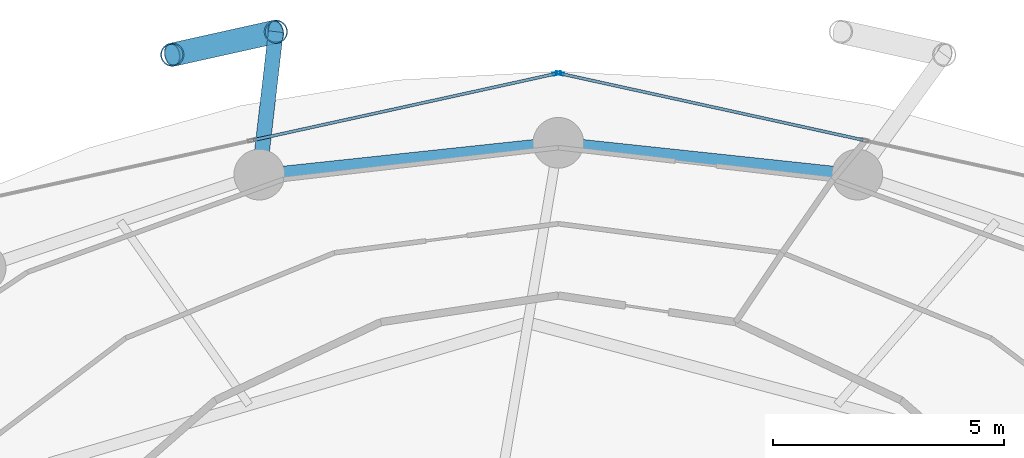
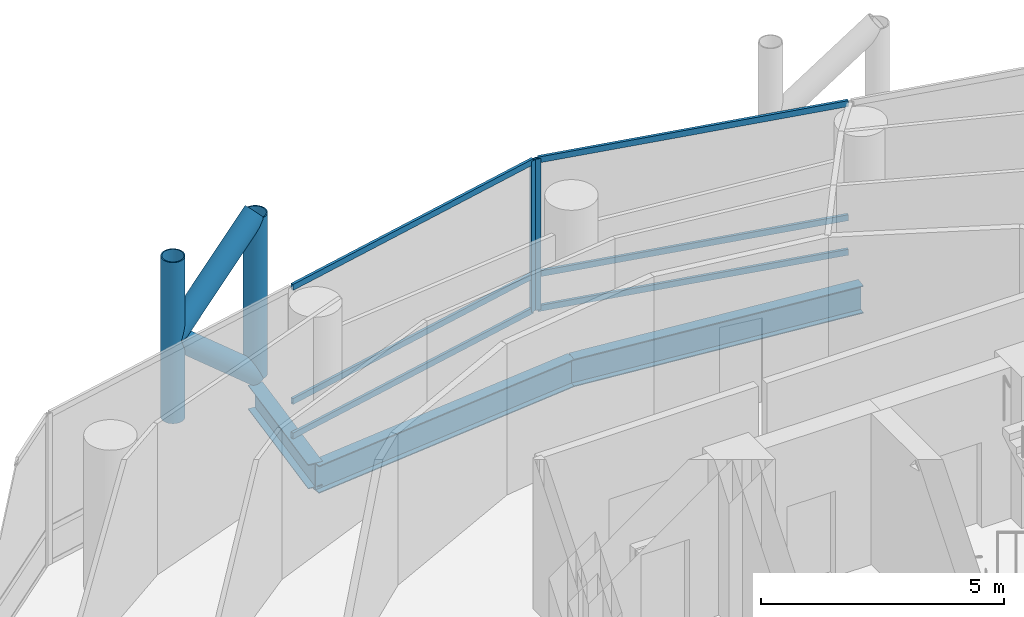
# One storey, part 16 of 26: 12 members, 3 beams, 2 elements without a shape of their own.
"""IFC4 building model written with IfcOpenShell, lengths in metres."""

from ifc_helpers import new_model, si_unit, direction, frame, origin, origin_2d, place, context, subcontext, project, spatial, hollow_rectangle, hollow_circle, i_section, extrude, material, layer, layer_set, material_profile, profile_set, type_object, element, aggregate, save


model = new_model("IFC4")

# Units and contexts
model_context = context("Model", 3, precision=1e-05, world=origin(), true_north=direction((0.0, 1.0)))
body_context = subcontext(model_context, "Body", "Model", "MODEL_VIEW")
ifc_project = project(units=[si_unit("LENGTHUNIT", "METRE"), si_unit("AREAUNIT", "SQUARE_METRE"), si_unit("VOLUMEUNIT", "CUBIC_METRE"), si_unit("PLANEANGLEUNIT", "RADIAN"), si_unit("MASSUNIT", "GRAM", prefix="KILO")], contexts=[model_context])

# Site, building, storey
site_placement = place(None, origin())
site = spatial("IfcSite", under=ifc_project, at=site_placement, CompositionType="ELEMENT")
building_placement = place(site_placement, origin())
building = spatial("IfcBuilding", under=site, at=building_placement, Name="Nuhasar Tower", CompositionType="ELEMENT")
storey_placement = place(building_placement, frame((0.0, 0.0, 97.949951171875)))
storey = spatial("IfcBuildingStorey", under=building, at=storey_placement, Name="L23", CompositionType="ELEMENT", Elevation=97.949951171875)

# Beams
ifc_material_1 = material(Name="Steel S355", Category="steel")
ifc_material_profile_1 = material_profile(ifc_material_1, i_section(OverallWidth=0.256103515625, OverallDepth=0.693115234375, WebThickness=0.014404296875, FlangeThickness=0.023681640625, at=origin_2d()), Name="W27X114")
ifc_profile_set_1 = profile_set([ifc_material_profile_1], Name="Steel S355")
beam_type_1 = type_object("IfcBeamType", Name="BM-RING-W27X114", PredefinedType="SPANDREL", material=ifc_profile_set_1)
for number, where, z_axis, x_axis, name in (
    (1, (45.48291015625, 46.360107421875, -0.596923828125), (-0.994384554061, 0.105827022286, 0.0), (-0.105827022286, -0.994384554061, 0.0), "L23 Perimeter Ring Spandrel 06"),
    (2, (39.0, 47.050048828125, -0.596923828125), (-0.994384554061, -0.105827022286, 0.0), (0.105827022286, -0.994384554061, 0.0), "L23 Perimeter Ring Spandrel 07"),
):
    element("IfcBeam", number, at=place(storey_placement, frame(where, z_axis=z_axis, x_axis=x_axis)), inside=storey, type_object=beam_type_1, Name=name, PredefinedType="SPANDREL", context=body_context, shape_type="SweptSolid", body=[
        extrude(i_section(OverallWidth=0.256103515625, OverallDepth=0.693115234375, WebThickness=0.014404296875, FlangeThickness=0.023681640625, at=origin_2d()), origin(), (0.0, 0.0, 1.0), 6.51953125),
    ])
ifc_material_profile_2 = material_profile(ifc_material_1, i_section(OverallWidth=0.323974609375, OverallDepth=0.611083984375, WebThickness=0.0126953125, FlangeThickness=0.01904296875, at=origin_2d()), Name="W24X104")
ifc_profile_set_2 = profile_set([ifc_material_profile_2], Name="Steel S355")
beam_type_2 = type_object("IfcBeamType", Name="BM-TIE-W24X104", PredefinedType="BEAM", material=ifc_profile_set_2)
beam_placement = place(storey_placement, frame((32.51708984375, 46.360107421875, -0.554931640625), z_axis=(0.115042934281, 0.993360520291, 0.0), x_axis=(-0.993360520291, 0.115042934281, 0.0)))
element("IfcBeam", 3, at=beam_placement, inside=storey, type_object=beam_type_2, Name="L23 Exoskeleton Node Tie Beam 04", PredefinedType="BEAM", context=body_context, shape_type="SweptSolid", body=[
    extrude(i_section(OverallWidth=0.323974609375, OverallDepth=0.611083984375, WebThickness=0.0126953125, FlangeThickness=0.01904296875, at=origin_2d()), origin(), (0.0, 0.0, 1.0), 3.11962890625),
])

# Curtain wall, member
ifc_material_2 = material(Name="Aluminium 6063-T6", Category="aluminium")
ifc_layer = layer(ifc_material_2, 0.199951171875)
ifc_layer_set = layer_set([ifc_layer], Name="Aluminium 6063-T6")
curtain_wall_type = type_object("IfcCurtainWallType", Name="CW-Z1-OFF", PredefinedType="NOTDEFINED", material=ifc_layer_set)
curtain_wall_1_placement = place(storey_placement, origin())
curtain_wall_1 = element("IfcCurtainWall", 4, at=curtain_wall_1_placement, inside=storey, type_object=curtain_wall_type, Name="L23 Unitised Curtain Wall 03", PredefinedType="NOTDEFINED")
ifc_material_profile_3 = material_profile(ifc_material_2, hollow_rectangle(XDim=0.06494140625, YDim=0.179931640625, WallThickness=0.0048828125, at=origin_2d()), Name="CWM-2")
ifc_profile_set_3 = profile_set([ifc_material_profile_3], Name="Aluminium 6063-T6")
member_type_1 = type_object("IfcMemberType", Name="CW-MUL-S2", PredefinedType="MULLION", material=ifc_profile_set_3)
member_1_placement = place(storey_placement, frame((39.03173828125, 48.552978515625, 0.0), z_axis=(0.0, 0.0, 1.0), x_axis=(-0.214398737637, -0.976746221544, 0.0)))
member_1 = element("IfcMember", 5, at=member_1_placement, type_object=member_type_1, Name="CW-Z1 mullion 3", PredefinedType="MULLION", context=body_context, shape_type="SweptSolid", body=[
    extrude(hollow_rectangle(XDim=0.06494140625, YDim=0.179931640625, WallThickness=0.0048828125, at=origin_2d()), origin(), (0.0, 0.0, 1.0), 3.800048828125),
])

curtain_wall_2_placement = place(storey_placement, origin())
curtain_wall_2 = element("IfcCurtainWall", 6, at=curtain_wall_2_placement, inside=storey, type_object=curtain_wall_type, Name="L23 Unitised Curtain Wall 04", PredefinedType="NOTDEFINED")
member_2_placement = place(storey_placement, frame((38.96826171875, 48.552978515625, 0.0), z_axis=(0.0, 0.0, 1.0), x_axis=(0.214398737637, -0.976746221544, 0.0)))
member_2 = element("IfcMember", 7, at=member_2_placement, type_object=member_type_1, Name="CW-Z1 mullion 1", PredefinedType="MULLION", context=body_context, shape_type="SweptSolid", body=[
    extrude(hollow_rectangle(XDim=0.06494140625, YDim=0.179931640625, WallThickness=0.0048828125, at=origin_2d()), origin(), (0.0, 0.0, 1.0), 3.800048828125),
])

# Member
ifc_material_profile_4 = material_profile(ifc_material_2, hollow_rectangle(XDim=0.06494140625, YDim=0.14990234375, WallThickness=0.00439453125, at=origin_2d()), Name="CWT-2")
ifc_profile_set_4 = profile_set([ifc_material_profile_4], Name="Aluminium 6063-T6")
member_type_2 = type_object("IfcMemberType", Name="CW-TRN-S2", PredefinedType="USERDEFINED", material=ifc_profile_set_4)
member_3_placement = place(storey_placement, frame((45.608154296875, 47.109375, 0.032470703125), z_axis=(-0.976740248595, 0.214425947065, 0.0), x_axis=(-0.214425947065, -0.976740248595, 0.0)))
member_3 = element("IfcMember", 8, at=member_3_placement, type_object=member_type_2, Name="CW-Z1 transom 2.1", ObjectType="TRANSOM", PredefinedType="USERDEFINED", context=body_context, shape_type="SweptSolid", body=[
    extrude(hollow_rectangle(XDim=0.06494140625, YDim=0.14990234375, WallThickness=0.00439453125, at=origin_2d()), origin(), (0.0, 0.0, 1.0), 6.700439453125),
])

member_4_placement = place(storey_placement, frame((45.608154296875, 47.109375, 0.900146484375), z_axis=(-0.976740248595, 0.214425947065, 0.0), x_axis=(-0.214425947065, -0.976740248595, 0.0)))
member_4 = element("IfcMember", 9, at=member_4_placement, type_object=member_type_2, Name="CW-Z1 transom 2.2", ObjectType="TRANSOM", PredefinedType="USERDEFINED", context=body_context, shape_type="SweptSolid", body=[
    extrude(hollow_rectangle(XDim=0.06494140625, YDim=0.14990234375, WallThickness=0.00439453125, at=origin_2d()), origin(), (0.0, 0.0, 1.0), 6.700439453125),
])

member_5_placement = place(storey_placement, frame((45.608154296875, 47.109375, 3.767578125), z_axis=(-0.976740248595, 0.214425947065, 0.0), x_axis=(-0.214425947065, -0.976740248595, 0.0)))
member_5 = element("IfcMember", 10, at=member_5_placement, type_object=member_type_2, Name="CW-Z1 transom 2.3", ObjectType="TRANSOM", PredefinedType="USERDEFINED", context=body_context, shape_type="SweptSolid", body=[
    extrude(hollow_rectangle(XDim=0.06494140625, YDim=0.14990234375, WallThickness=0.00439453125, at=origin_2d()), origin(), (0.0, 0.0, 1.0), 6.700439453125),
])

aggregate(curtain_wall_1, [member_1, member_3, member_4, member_5])

member_6_placement = place(storey_placement, frame((38.9365234375, 48.546142578125, 0.032470703125), z_axis=(-0.976740248595, -0.214425947065, 0.0), x_axis=(0.214425947065, -0.976740248595, 0.0)))
member_6 = element("IfcMember", 11, at=member_6_placement, type_object=member_type_2, Name="CW-Z1 transom 1.1", ObjectType="TRANSOM", PredefinedType="USERDEFINED", context=body_context, shape_type="SweptSolid", body=[
    extrude(hollow_rectangle(XDim=0.06494140625, YDim=0.14990234375, WallThickness=0.00439453125, at=origin_2d()), origin(), (0.0, 0.0, 1.0), 6.700439453125),
])

member_7_placement = place(storey_placement, frame((38.9365234375, 48.546142578125, 0.900146484375), z_axis=(-0.976740248595, -0.214425947065, 0.0), x_axis=(0.214425947065, -0.976740248595, 0.0)))
member_7 = element("IfcMember", 12, at=member_7_placement, type_object=member_type_2, Name="CW-Z1 transom 1.2", ObjectType="TRANSOM", PredefinedType="USERDEFINED", context=body_context, shape_type="SweptSolid", body=[
    extrude(hollow_rectangle(XDim=0.06494140625, YDim=0.14990234375, WallThickness=0.00439453125, at=origin_2d()), origin(), (0.0, 0.0, 1.0), 6.700439453125),
])

member_8_placement = place(storey_placement, frame((38.9365234375, 48.546142578125, 3.767578125), z_axis=(-0.976740248595, -0.214425947065, 0.0), x_axis=(0.214425947065, -0.976740248595, 0.0)))
member_8 = element("IfcMember", 13, at=member_8_placement, type_object=member_type_2, Name="CW-Z1 transom 1.3", ObjectType="TRANSOM", PredefinedType="USERDEFINED", context=body_context, shape_type="SweptSolid", body=[
    extrude(hollow_rectangle(XDim=0.06494140625, YDim=0.14990234375, WallThickness=0.00439453125, at=origin_2d()), origin(), (0.0, 0.0, 1.0), 6.700439453125),
])

aggregate(curtain_wall_2, [member_2, member_6, member_7, member_8])

# Members
ifc_material_3 = material(Name="Steel S460", Category="steel")
ifc_material_profile_5 = material_profile(ifc_material_3, hollow_circle(Radius=0.25390625, WallThickness=0.025390625, at=origin_2d()), Name="HSS508X25.4")
ifc_profile_set_5 = profile_set([ifc_material_profile_5], Name="Steel S460")
member_type_3 = type_object("IfcMemberType", Name="EXO-BRONZE-508", PredefinedType="BRACE", material=ifc_profile_set_5)
for number, where, z_axis, x_axis, name in (
    (14, (32.8759765625, 49.458984375, 0.0), (0.0, 0.0, 1.0), (1.0, 0.0, 0.0), "L23 Exoskeleton Chord Column EC-04A"),
    (15, (30.6298828125, 48.9599609375, 0.0), (0.0, 0.0, 1.0), (1.0, 0.0, 0.0), "L23 Exoskeleton Chord Column EC-04B"),
):
    element("IfcMember", number, at=place(storey_placement, frame(where, z_axis=z_axis, x_axis=x_axis)), inside=storey, type_object=member_type_3, Name=name, PredefinedType="BRACE", context=body_context, shape_type="SweptSolid", body=[
        extrude(hollow_circle(Radius=0.25390625, WallThickness=0.025390625, at=origin_2d()), origin(), (0.0, 0.0, 1.0), 4.050048828125),
    ])
member_9_placement = place(storey_placement, frame((32.8759765625, 49.458984375, 0.0), z_axis=(-0.732782908552, -0.162805246204, 0.660699372439), x_axis=(0.216885517571, -0.97619704582, 0.0)))
element("IfcMember", 16, at=member_9_placement, inside=storey, type_object=member_type_3, Name="L23 Bronze Diagrid Brace W1-04", PredefinedType="BRACE", context=body_context, shape_type="SweptSolid", body=[
    extrude(hollow_circle(Radius=0.25390625, WallThickness=0.025390625, at=origin_2d()), origin(), (0.0, 0.0, 1.0), 3.065185546875),
])
member_10_placement = place(storey_placement, frame((30.6298828125, 48.9599609375, 2.025146484375), z_axis=(0.732821471909, 0.162813813976, 0.660654487828), x_axis=(-0.216885517571, 0.97619704582, 0.0)))
element("IfcMember", 17, at=member_10_placement, inside=storey, type_object=member_type_3, Name="L23 Bronze Diagrid Brace W2-04", PredefinedType="BRACE", context=body_context, shape_type="SweptSolid", body=[
    extrude(hollow_circle(Radius=0.25390625, WallThickness=0.025390625, at=origin_2d()), origin(), (0.0, 0.0, 1.0), 3.06494140625),
])

save(model, "model.ifc")
